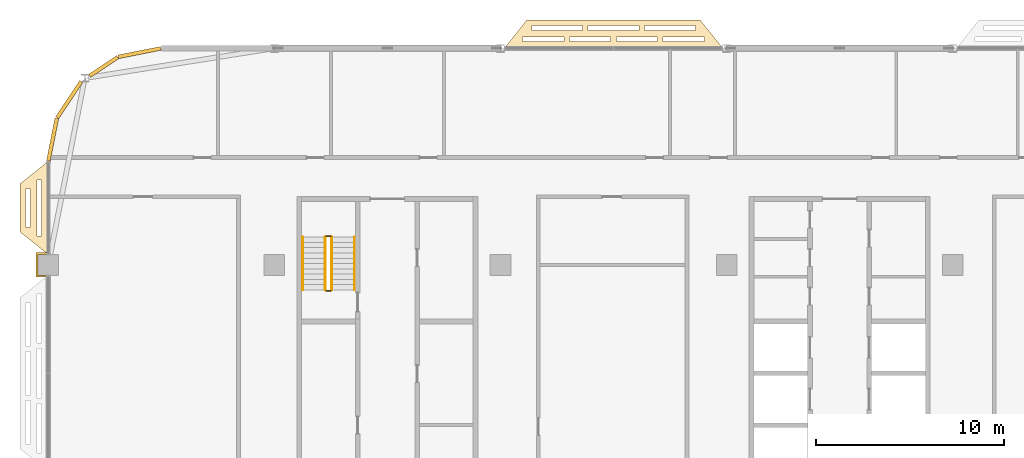
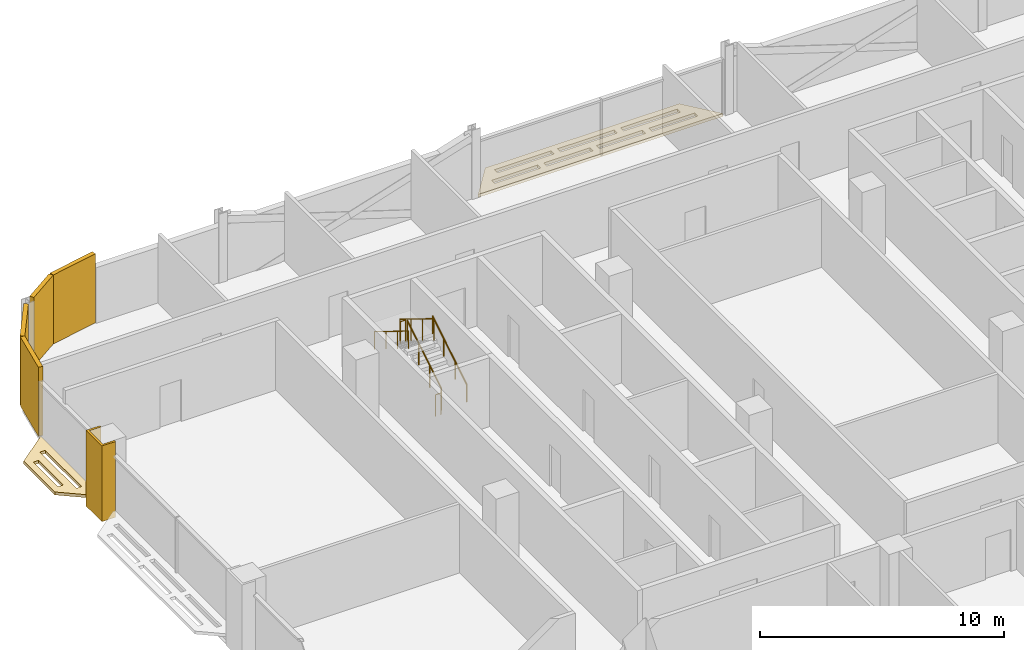
# One storey, part 27 of 30: 7 coverings, 6 railings.
"""IFC4 building model written with IfcOpenShell, lengths in metres."""

from ifc_helpers import new_model, si_unit, direction, frame, origin, origin_2d, place, context, subcontext, project, spatial, polyline, rectangle, circle, outline, extrude, material, layer, layer_set, type_object, element, save


model = new_model("IFC4")

# Units and contexts
model_context = context("Model", 3, precision=1e-05, world=origin(), true_north=direction((0.0, 1.0)))
body_context = subcontext(model_context, "Body", "Model", "MODEL_VIEW")
ifc_project = project(units=[si_unit("LENGTHUNIT", "METRE"), si_unit("AREAUNIT", "SQUARE_METRE"), si_unit("VOLUMEUNIT", "CUBIC_METRE"), si_unit("PLANEANGLEUNIT", "RADIAN"), si_unit("MASSUNIT", "GRAM", prefix="KILO")], contexts=[model_context])

# Site, building, storey
site_placement = place(None, origin())
site = spatial("IfcSite", under=ifc_project, at=site_placement, CompositionType="ELEMENT")
building_placement = place(site_placement, origin())
building = spatial("IfcBuilding", under=site, at=building_placement, Name="Mahtab Terrace Research Tower", CompositionType="ELEMENT")
storey_placement = place(building_placement, frame((0.0, 0.0, 205.300048828125)))
storey = spatial("IfcBuildingStorey", under=building, at=storey_placement, Name="L49", CompositionType="ELEMENT", Elevation=205.300048828125)

# Coverings
ifc_material_1 = material(Name="Black aluminium cladding panel", Category="aluminium")
ifc_layer_1 = layer(ifc_material_1, 0.199951171875)
ifc_layer_set_1 = layer_set([ifc_layer_1], Name="Black metal corner cladding 200")
covering_type_1 = type_object("IfcCoveringType", Name="Black metal corner cladding 200", PredefinedType="CLADDING", material=ifc_layer_set_1)
covering_1_placement = place(storey_placement, frame((-37.14794921875, 22.771484375, 0.0), z_axis=(0.0, 0.0, 1.0), x_axis=(-0.980760981187, -0.195212442692, 0.0)))
element("IfcCovering", 1, at=covering_1_placement, inside=storey, type_object=covering_type_1, Name="Corner cladding L49 11", PredefinedType="CLADDING", context=body_context, shape_type="SweptSolid", body=[
    extrude(rectangle(XDim=2.30126953125, YDim=0.199951171875, at=origin_2d()), origin(), (0.0, 0.0, 1.0), 3.4599609375),
])
covering_2_placement = place(storey_placement, frame((-39.059814453125, 22.032958984375, 0.0), z_axis=(0.0, 0.0, 1.0), x_axis=(-0.831655794326, -0.555291490808, 0.0)))
element("IfcCovering", 2, at=covering_2_placement, inside=storey, type_object=covering_type_1, Name="Corner cladding L49 12", PredefinedType="CLADDING", context=body_context, shape_type="SweptSolid", body=[
    extrude(rectangle(XDim=1.797119140625, YDim=0.199951171875, at=origin_2d()), origin(), (0.0, 0.0, 1.0), 3.4599609375),
])
for number, where, z_axis, x_axis, name in (
    (3, (-40.89306640625, 20.26953125, 0.0), (0.0, 0.0, 1.0), (-0.555291490808, -0.831655794326, 0.0), "Corner cladding L49 13"),
    (4, (-41.771484375, 18.14794921875, 0.0), (0.0, 0.0, 1.0), (-0.195212442692, -0.980760981187, 0.0), "Corner cladding L49 14"),
):
    element("IfcCovering", number, at=place(storey_placement, frame(where, z_axis=z_axis, x_axis=x_axis)), inside=storey, type_object=covering_type_1, Name=name, PredefinedType="CLADDING", context=body_context, shape_type="SweptSolid", body=[
        extrude(rectangle(XDim=2.30126953125, YDim=0.199951171875, at=origin_2d()), origin(), (0.0, 0.0, 1.0), 3.4599609375),
    ])
ifc_material_2 = material(Name="Dark anodised aluminium cladding", Category="aluminium")
ifc_layer_2 = layer(ifc_material_2, 0.10009765625)
ifc_layer_set_2 = layer_set([ifc_layer_2], Name="Column casing 100")
covering_type_2 = type_object("IfcCoveringType", Name="Column casing 100", PredefinedType="CLADDING", material=ifc_layer_set_2)
covering_3_placement = place(storey_placement, frame((0.0, 0.0, -0.340087890625)))
element("IfcCovering", 5, at=covering_3_placement, inside=storey, type_object=covering_type_2, Name="Column casing RC-1C L49", PredefinedType="CLADDING", context=body_context, shape_type="SweptSolid", body=[
    extrude(outline(polyline([(-42.64990234375, 12.14990234375), (-42.0, 12.14990234375), (-42.0, 12.050048828125), (-42.550048828125, 12.050048828125), (-42.550048828125, 10.949951171875), (-42.0, 10.949951171875), (-42.0, 10.85009765625), (-42.64990234375, 10.85009765625), (-42.64990234375, 12.14990234375)])), origin(), (0.0, 0.0, 1.0), 3.800048828125),
])
ifc_material_3 = material(Name="Black anodised aluminium", Category="aluminium")
ifc_layer_3 = layer(ifc_material_3, 0.14990234375)
ifc_layer_set_3 = layer_set([ifc_layer_3], Name="Horizontal sunshade band")
covering_type_3 = type_object("IfcCoveringType", Name="Horizontal sunshade band", PredefinedType="CLADDING", material=ifc_layer_set_3)
covering_4_placement = place(storey_placement, frame((0.0, 0.0, -0.150146484375)))
element("IfcCovering", 6, at=covering_4_placement, inside=storey, type_object=covering_type_3, Name="Sunshade band L49 8", PredefinedType="CLADDING", context=body_context, shape_type="SweptSolid", body=[
    extrude(outline(polyline([(-6.199951171875, 23.0), (-17.800048828125, 23.0), (-16.60009765625, 24.5), (-7.39990234375, 24.5), (-6.199951171875, 23.0)]), holes=[polyline([(-7.179931640625, 23.35009765625), (-9.364990234375, 23.35009765625), (-9.364990234375, 23.60009765625), (-7.179931640625, 23.60009765625), (-7.179931640625, 23.35009765625)]), polyline([(-9.6650390625, 23.35009765625), (-11.85009765625, 23.35009765625), (-11.85009765625, 23.60009765625), (-9.6650390625, 23.60009765625), (-9.6650390625, 23.35009765625)]), polyline([(-12.14990234375, 23.35009765625), (-14.3349609375, 23.35009765625), (-14.3349609375, 23.60009765625), (-12.14990234375, 23.60009765625), (-12.14990234375, 23.35009765625)]), polyline([(-14.635009765625, 23.35009765625), (-16.820068359375, 23.35009765625), (-16.820068359375, 23.60009765625), (-14.635009765625, 23.60009765625), (-14.635009765625, 23.35009765625)]), polyline([(-7.659912109375, 23.949951171875), (-10.35302734375, 23.949951171875), (-10.35302734375, 24.199951171875), (-7.659912109375, 24.199951171875), (-7.659912109375, 23.949951171875)]), polyline([(-10.653076171875, 23.949951171875), (-13.346923828125, 23.949951171875), (-13.346923828125, 24.199951171875), (-10.653076171875, 24.199951171875), (-10.653076171875, 23.949951171875)]), polyline([(-13.64697265625, 23.949951171875), (-16.340087890625, 23.949951171875), (-16.340087890625, 24.199951171875), (-13.64697265625, 24.199951171875), (-13.64697265625, 23.949951171875)])]), origin(), (0.0, 0.0, 1.0), 0.150146484375),
])
covering_5_placement = place(storey_placement, frame((0.0, 0.0, -0.150146484375)))
element("IfcCovering", 7, at=covering_5_placement, inside=storey, type_object=covering_type_3, Name="Sunshade band L49 15", PredefinedType="CLADDING", context=body_context, shape_type="SweptSolid", body=[
    extrude(outline(polyline([(-42.0, 17.0), (-42.0, 12.050048828125), (-43.5, 13.25), (-43.5, 15.800048828125), (-42.0, 17.0)]), holes=[polyline([(-42.35009765625, 16.02001953125), (-42.35009765625, 13.030029296875), (-42.60009765625, 13.030029296875), (-42.60009765625, 16.02001953125), (-42.35009765625, 16.02001953125)]), polyline([(-42.949951171875, 15.5400390625), (-42.949951171875, 13.510009765625), (-43.199951171875, 13.510009765625), (-43.199951171875, 15.5400390625), (-42.949951171875, 15.5400390625)])]), origin(), (0.0, 0.0, 1.0), 0.150146484375),
])

# Railings
ifc_material_4 = material(Name="Stainless steel AISI 304", Category="steel")
railing_type_1 = type_object("IfcRailingType", Name="Stair guard 1100", PredefinedType="GUARDRAIL", material=ifc_material_4)
railing_1_placement = place(storey_placement, frame((-26.949951171875, 10.175048828125, 0.172607421875)))
element("IfcRailing", 8, at=railing_1_placement, inside=storey, type_object=railing_type_1, Name="L49 ST1 stair guard 1", PredefinedType="GUARDRAIL", context=body_context, shape_type="SweptSolid", body=[
    extrude(circle(Radius=0.02392578125, at=origin_2d()), frame((0.0, 0.0, 1.076171875), z_axis=(0.0, 0.851089632645, 0.525020415988), x_axis=(-1.0, 0.0, 0.0)), (0.0, 0.0, 1.0), 3.2900390625),
    extrude(circle(Radius=0.02099609375, at=origin_2d()), origin(), (0.0, 0.0, 1.0), 1.052001953125),
    extrude(circle(Radius=0.02099609375, at=origin_2d()), frame((0.0, 0.933349609375, 0.57568359375)), (0.0, 0.0, 1.0), 1.052001953125),
    extrude(circle(Radius=0.02099609375, at=origin_2d()), frame((0.0, 1.86669921875, 1.151611328125)), (0.0, 0.0, 1.0), 1.052001953125),
    extrude(circle(Radius=0.02099609375, at=origin_2d()), frame((0.0, 2.800048828125, 1.727294921875)), (0.0, 0.0, 1.0), 1.052001953125),
])
railing_2_placement = place(storey_placement, frame((-27.0, 13.02490234375, 1.89990234375)))
element("IfcRailing", 9, at=railing_2_placement, inside=storey, type_object=railing_type_1, Name="L49 ST1 stair guard 2", PredefinedType="GUARDRAIL", context=body_context, shape_type="SweptSolid", body=[
    extrude(circle(Radius=0.02392578125, at=origin_2d()), frame((0.0, 0.0, 1.076171875), z_axis=(-1.0, 0.0, 0.0), x_axis=(0.0, -1.0, 0.0)), (0.0, 0.0, 1.0), 0.25),
    extrude(circle(Radius=0.02099609375, at=origin_2d()), origin(), (0.0, 0.0, 1.0), 1.052001953125),
    extrude(circle(Radius=0.02099609375, at=origin_2d()), frame((-0.25, 0.0, 0.0)), (0.0, 0.0, 1.0), 1.052001953125),
])
railing_3_placement = place(storey_placement, frame((-27.300048828125, 12.97509765625, 2.07275390625)))
element("IfcRailing", 10, at=railing_3_placement, inside=storey, type_object=railing_type_1, Name="L49 ST1 stair guard 3", PredefinedType="GUARDRAIL", context=body_context, shape_type="SweptSolid", body=[
    extrude(circle(Radius=0.02392578125, at=origin_2d()), frame((0.0, 0.0, 1.076171875), z_axis=(0.0, -0.851089632645, 0.525020415988), x_axis=(1.0, 0.0, 0.0)), (0.0, 0.0, 1.0), 3.2900390625),
    extrude(circle(Radius=0.02099609375, at=origin_2d()), origin(), (0.0, 0.0, 1.0), 1.052001953125),
    extrude(circle(Radius=0.02099609375, at=origin_2d()), frame((0.0, -0.933349609375, 0.57568359375)), (0.0, 0.0, 1.0), 1.052001953125),
    extrude(circle(Radius=0.02099609375, at=origin_2d()), frame((0.0, -1.86669921875, 1.151611328125)), (0.0, 0.0, 1.0), 1.052001953125),
    extrude(circle(Radius=0.02099609375, at=origin_2d()), frame((0.0, -2.800048828125, 1.727294921875)), (0.0, 0.0, 1.0), 1.052001953125),
])
railing_4_placement = place(storey_placement, frame((-27.0, 10.125, 0.0)))
element("IfcRailing", 11, at=railing_4_placement, inside=storey, type_object=railing_type_1, Name="L49 ST1 stair guard 4", PredefinedType="GUARDRAIL", context=body_context, shape_type="SweptSolid", body=[
    extrude(circle(Radius=0.02392578125, at=origin_2d()), frame((0.0, 0.0, 1.076171875), z_axis=(-1.0, 0.0, 0.0), x_axis=(0.0, -1.0, 0.0)), (0.0, 0.0, 1.0), 0.25),
    extrude(circle(Radius=0.02099609375, at=origin_2d()), origin(), (0.0, 0.0, 1.0), 1.052001953125),
    extrude(circle(Radius=0.02099609375, at=origin_2d()), frame((-0.25, 0.0, 0.0)), (0.0, 0.0, 1.0), 1.052001953125),
])
railing_type_2 = type_object("IfcRailingType", Name="Stair handrail 900", PredefinedType="HANDRAIL", material=ifc_material_4)
railing_5_placement = place(storey_placement, frame((-25.75, 10.175048828125, 0.172607421875)))
element("IfcRailing", 12, at=railing_5_placement, inside=storey, type_object=railing_type_2, Name="L49 ST1 stair handrail 1", PredefinedType="HANDRAIL", context=body_context, shape_type="SweptSolid", body=[
    extrude(circle(Radius=0.02392578125, at=origin_2d()), frame((0.0, 0.0, 0.8759765625), z_axis=(0.0, 0.851089632645, 0.525020415988), x_axis=(-1.0, 0.0, 0.0)), (0.0, 0.0, 1.0), 3.2900390625),
    extrude(circle(Radius=0.02099609375, at=origin_2d()), origin(), (0.0, 0.0, 1.0), 0.851806640625),
    extrude(circle(Radius=0.02099609375, at=origin_2d()), frame((0.0, 0.933349609375, 0.57568359375)), (0.0, 0.0, 1.0), 0.851806640625),
    extrude(circle(Radius=0.02099609375, at=origin_2d()), frame((0.0, 1.86669921875, 1.151611328125)), (0.0, 0.0, 1.0), 0.851806640625),
    extrude(circle(Radius=0.02099609375, at=origin_2d()), frame((0.0, 2.800048828125, 1.727294921875)), (0.0, 0.0, 1.0), 0.851806640625),
])
railing_6_placement = place(storey_placement, frame((-28.5, 12.97509765625, 2.07275390625)))
element("IfcRailing", 13, at=railing_6_placement, inside=storey, type_object=railing_type_2, Name="L49 ST1 stair handrail 2", PredefinedType="HANDRAIL", context=body_context, shape_type="SweptSolid", body=[
    extrude(circle(Radius=0.02392578125, at=origin_2d()), frame((0.0, 0.0, 0.8759765625), z_axis=(0.0, -0.851089632645, 0.525020415988), x_axis=(1.0, 0.0, 0.0)), (0.0, 0.0, 1.0), 3.2900390625),
    extrude(circle(Radius=0.02099609375, at=origin_2d()), origin(), (0.0, 0.0, 1.0), 0.851806640625),
    extrude(circle(Radius=0.02099609375, at=origin_2d()), frame((0.0, -0.933349609375, 0.57568359375)), (0.0, 0.0, 1.0), 0.851806640625),
    extrude(circle(Radius=0.02099609375, at=origin_2d()), frame((0.0, -1.86669921875, 1.151611328125)), (0.0, 0.0, 1.0), 0.851806640625),
    extrude(circle(Radius=0.02099609375, at=origin_2d()), frame((0.0, -2.800048828125, 1.727294921875)), (0.0, 0.0, 1.0), 0.851806640625),
])

save(model, "model.ifc")
